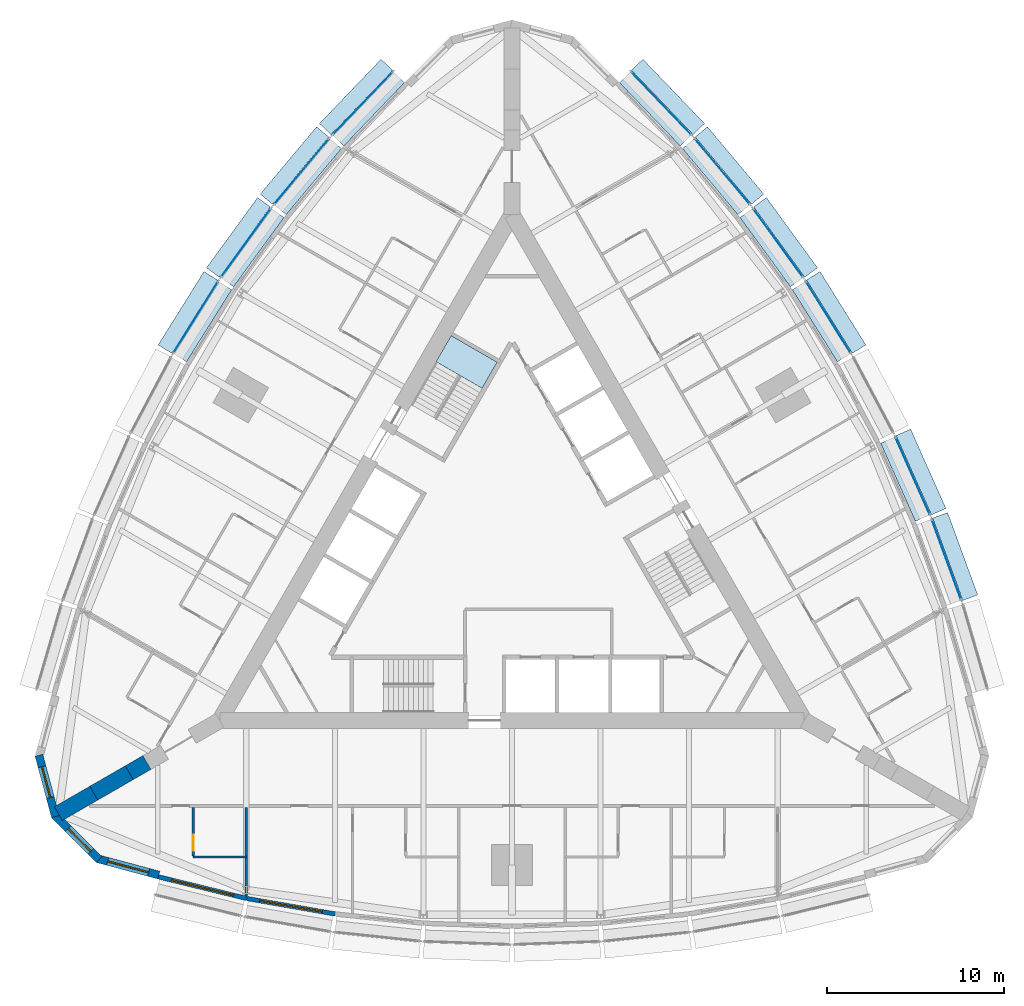
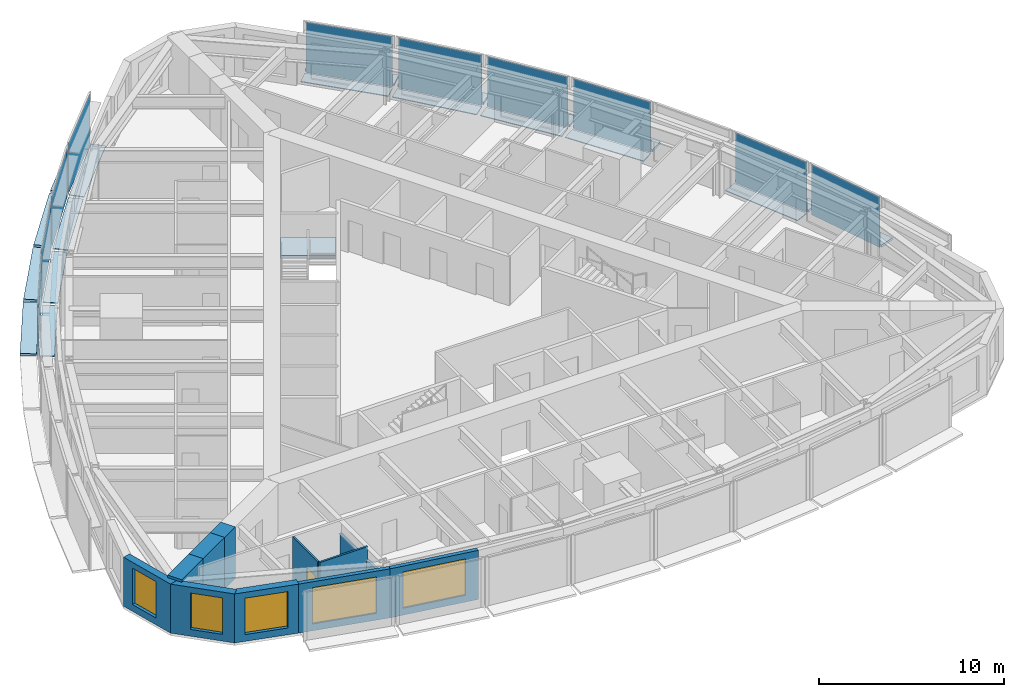
# One storey, part 7 of 14: 29 plates, 11 walls, 5 windows, 1 door, 1 slab, 6 openings, 11 elements without a shape of their own.
"""IFC4 building model written with IfcOpenShell, lengths in metres."""

from ifc_helpers import new_model, si_unit, direction, frame, frame_2d, origin, origin_2d, place, context, subcontext, project, spatial, polyline, rectangle, outline, extrude, material, layer, layer_set, type_object, element, fill, aggregate, save


model = new_model("IFC4")

# Units and contexts
model_context = context("Model", 3, precision=1e-05, world=origin(), true_north=direction((0.0, 1.0)))
body_context = subcontext(model_context, "Body", "Model", "MODEL_VIEW")
ifc_project = project(units=[si_unit("LENGTHUNIT", "METRE"), si_unit("AREAUNIT", "SQUARE_METRE"), si_unit("VOLUMEUNIT", "CUBIC_METRE"), si_unit("PLANEANGLEUNIT", "RADIAN"), si_unit("MASSUNIT", "GRAM", prefix="KILO")], contexts=[model_context])

# Site, building, storey
site_placement = place(None, origin())
site = spatial("IfcSite", under=ifc_project, at=site_placement, CompositionType="ELEMENT")
building_placement = place(site_placement, origin())
building = spatial("IfcBuilding", under=site, at=building_placement, Name="Trikona Tower", CompositionType="ELEMENT")
storey_placement = place(building_placement, frame((0.0, 0.0, 172.5)))
storey = spatial("IfcBuildingStorey", under=building, at=storey_placement, Name="L46", CompositionType="ELEMENT", Elevation=172.5)

# Plates
ifc_material_1 = material(Name="Aluminium bar grating", Category="aluminium")
ifc_layer_1 = layer(ifc_material_1, 0.050048828125)
ifc_layer_set_1 = layer_set([ifc_layer_1], Name="Cavity catwalk grating")
plate_type_1 = type_object("IfcPlateType", Name="Cavity catwalk grating", PredefinedType="USERDEFINED", material=ifc_layer_set_1)
plate_1_placement = place(storey_placement, frame((22.175048828125, 4.092529296875, -0.0498046875), z_axis=(0.0, 0.0, 1.0), x_axis=(-0.406843467615, 0.913497888809, 0.0)))
element("IfcPlate", 1, at=plate_1_placement, inside=storey, type_object=plate_type_1, Name="Cavity catwalk L46-14", ObjectType="CATWALK GRATING", PredefinedType="USERDEFINED", context=body_context, shape_type="SweptSolid", body=[
    extrude(rectangle(XDim=4.827392578125, YDim=0.830078125, at=origin_2d()), origin(), (0.0, 0.0, 1.0), 0.050048828125),
])
plate_2_placement = place(storey_placement, frame((17.450927734375, 12.978759765625, -0.0498046875), z_axis=(0.0, 0.0, 1.0), x_axis=(-0.529994748414, 0.848000923734, 0.0)))
element("IfcPlate", 2, at=plate_2_placement, inside=storey, type_object=plate_type_1, Name="Cavity catwalk L46-16", ObjectType="CATWALK GRATING", PredefinedType="USERDEFINED", context=body_context, shape_type="SweptSolid", body=[
    extrude(rectangle(XDim=4.802978515625, YDim=0.830078125, at=origin_2d()), origin(), (0.0, 0.0, 1.0), 0.050048828125),
])
plate_3_placement = place(storey_placement, frame((14.6318359375, 17.157958984375, -0.0498046875), z_axis=(0.0, 0.0, 1.0), x_axis=(-0.587686407834, 0.809088799853, 0.0)))
element("IfcPlate", 3, at=plate_3_placement, inside=storey, type_object=plate_type_1, Name="Cavity catwalk L46-17", ObjectType="CATWALK GRATING", PredefinedType="USERDEFINED", context=body_context, shape_type="SweptSolid", body=[
    extrude(rectangle(XDim=4.827392578125, YDim=0.830078125, at=origin_2d()), origin(), (0.0, 0.0, 1.0), 0.050048828125),
])
plate_4_placement = place(storey_placement, frame((11.508056640625, 21.160400390625, -0.0498046875), z_axis=(0.0, 0.0, 1.0), x_axis=(-0.641807063101, 0.766866151133, 0.0)))
element("IfcPlate", 4, at=plate_4_placement, inside=storey, type_object=plate_type_1, Name="Cavity catwalk L46-18", ObjectType="CATWALK GRATING", PredefinedType="USERDEFINED", context=body_context, shape_type="SweptSolid", body=[
    extrude(rectangle(XDim=4.8759765625, YDim=0.830078125, at=origin_2d()), origin(), (0.0, 0.0, 1.0), 0.050048828125),
])
for number, where, z_axis, x_axis, name in (
    (5, (8.080078125, 24.986328125, -0.0498046875), (0.0, 0.0, 1.0), (-0.691723573819, 0.722162376078, 0.0), "Cavity catwalk L46-19"),
    (6, (-8.080078125, 24.986328125, -0.0498046875), (0.0, 0.0, 1.0), (-0.691723573819, -0.722162376078, 0.0), "Cavity catwalk L46-24"),
):
    element("IfcPlate", number, at=place(storey_placement, frame(where, z_axis=z_axis, x_axis=x_axis)), inside=storey, type_object=plate_type_1, Name=name, ObjectType="CATWALK GRATING", PredefinedType="USERDEFINED", context=body_context, shape_type="SweptSolid", body=[
        extrude(rectangle(XDim=4.947998046875, YDim=0.830078125, at=origin_2d()), origin(), (0.0, 0.0, 1.0), 0.050048828125),
    ])
plate_5_placement = place(storey_placement, frame((-11.508056640625, 21.160400390625, -0.0498046875), z_axis=(0.0, 0.0, 1.0), x_axis=(-0.641807063101, -0.766866151133, 0.0)))
element("IfcPlate", 7, at=plate_5_placement, inside=storey, type_object=plate_type_1, Name="Cavity catwalk L46-25", ObjectType="CATWALK GRATING", PredefinedType="USERDEFINED", context=body_context, shape_type="SweptSolid", body=[
    extrude(rectangle(XDim=4.8759765625, YDim=0.830078125, at=origin_2d()), origin(), (0.0, 0.0, 1.0), 0.050048828125),
])
plate_6_placement = place(storey_placement, frame((-14.6318359375, 17.157958984375, -0.0498046875), z_axis=(0.0, 0.0, 1.0), x_axis=(-0.587686407834, -0.809088799853, 0.0)))
element("IfcPlate", 8, at=plate_6_placement, inside=storey, type_object=plate_type_1, Name="Cavity catwalk L46-26", ObjectType="CATWALK GRATING", PredefinedType="USERDEFINED", context=body_context, shape_type="SweptSolid", body=[
    extrude(rectangle(XDim=4.827392578125, YDim=0.830078125, at=origin_2d()), origin(), (0.0, 0.0, 1.0), 0.050048828125),
])
plate_7_placement = place(storey_placement, frame((-17.450927734375, 12.978759765625, -0.0498046875), z_axis=(0.0, 0.0, 1.0), x_axis=(-0.529994748414, -0.848000923734, 0.0)))
element("IfcPlate", 9, at=plate_7_placement, inside=storey, type_object=plate_type_1, Name="Cavity catwalk L46-27", ObjectType="CATWALK GRATING", PredefinedType="USERDEFINED", context=body_context, shape_type="SweptSolid", body=[
    extrude(rectangle(XDim=4.802978515625, YDim=0.830078125, at=origin_2d()), origin(), (0.0, 0.0, 1.0), 0.050048828125),
])

# Curtain wall, plate
ifc_material_2 = material(Name="Aluminium curtain wall system", Category="aluminium")
curtain_wall_type = type_object("IfcCurtainWallType", Name="Curtain wall DS2", PredefinedType="NOTDEFINED", material=ifc_material_2)
curtain_wall_1_placement = place(storey_placement, origin())
curtain_wall_1 = element("IfcCurtainWall", 10, at=curtain_wall_1_placement, inside=storey, type_object=curtain_wall_type, Name="Curtain wall DS2 L46", PredefinedType="NOTDEFINED")
ifc_material_3 = material(Name="Laminated clear glass", Category="glass")
ifc_layer_2 = layer(ifc_material_3, 0.028076171875)
ifc_layer_set_2 = layer_set([ifc_layer_2], Name="Glass panel DS2")
plate_type_2 = type_object("IfcPlateType", Name="Glass panel DS2", PredefinedType="CURTAIN_PANEL", material=ifc_layer_set_2)
plate_8_placement = place(storey_placement, frame((24.53515625, -0.447509765625, 0.0), z_axis=(0.0, 0.0, 1.0), x_axis=(-0.343223420143, 0.939253790978, 0.0)))
plate_8 = element("IfcPlate", 11, at=plate_8_placement, type_object=plate_type_2, Name="CW-DS2 panel 1.1", PredefinedType="CURTAIN_PANEL", context=body_context, shape_type="SweptSolid", body=[
    extrude(rectangle(XDim=4.7958984375, YDim=0.028076171875, at=origin_2d()), origin(), (0.0, 0.0, 1.0), 3.320068359375),
])
aggregate(curtain_wall_1, [plate_8])

curtain_wall_2_placement = place(storey_placement, origin())
curtain_wall_2 = element("IfcCurtainWall", 12, at=curtain_wall_2_placement, inside=storey, type_object=curtain_wall_type, Name="Curtain wall DS2 L46", PredefinedType="NOTDEFINED")
plate_9_placement = place(storey_placement, frame((22.6181640625, 4.289794921875, 0.0), z_axis=(0.0, 0.0, 1.0), x_axis=(-0.406836013132, 0.913501208767, 0.0)))
plate_9 = element("IfcPlate", 13, at=plate_9_placement, type_object=plate_type_2, Name="CW-DS2 panel 1.1", PredefinedType="CURTAIN_PANEL", context=body_context, shape_type="SweptSolid", body=[
    extrude(rectangle(XDim=4.747314453125, YDim=0.028076171875, at=origin_2d()), origin(), (0.0, 0.0, 1.0), 3.320068359375),
])
aggregate(curtain_wall_2, [plate_9])

curtain_wall_3_placement = place(storey_placement, origin())
curtain_wall_3 = element("IfcCurtainWall", 14, at=curtain_wall_3_placement, inside=storey, type_object=curtain_wall_type, Name="Curtain wall DS2 L46", PredefinedType="NOTDEFINED")
plate_10_placement = place(storey_placement, frame((17.8623046875, 13.23583984375, 0.0), z_axis=(0.0, 0.0, 1.0), x_axis=(-0.529998940002, 0.847998304006, 0.0)))
plate_10 = element("IfcPlate", 15, at=plate_10_placement, type_object=plate_type_2, Name="CW-DS2 panel 1.1", PredefinedType="CURTAIN_PANEL", context=body_context, shape_type="SweptSolid", body=[
    extrude(rectangle(XDim=4.72314453125, YDim=0.028076171875, at=origin_2d()), origin(), (0.0, 0.0, 1.0), 3.320068359375),
])
aggregate(curtain_wall_3, [plate_10])

curtain_wall_4_placement = place(storey_placement, origin())
curtain_wall_4 = element("IfcCurtainWall", 16, at=curtain_wall_4_placement, inside=storey, type_object=curtain_wall_type, Name="Curtain wall DS2 L46", PredefinedType="NOTDEFINED")
plate_11_placement = place(storey_placement, frame((15.024169921875, 17.443115234375, 0.0), z_axis=(0.0, 0.0, 1.0), x_axis=(-0.587690588313, 0.80908576332, 0.0)))
plate_11 = element("IfcPlate", 17, at=plate_11_placement, type_object=plate_type_2, Name="CW-DS2 panel 1.1", PredefinedType="CURTAIN_PANEL", context=body_context, shape_type="SweptSolid", body=[
    extrude(rectangle(XDim=4.74755859375, YDim=0.028076171875, at=origin_2d()), origin(), (0.0, 0.0, 1.0), 3.320068359375),
])
aggregate(curtain_wall_4, [plate_11])

curtain_wall_5_placement = place(storey_placement, origin())
curtain_wall_5 = element("IfcCurtainWall", 18, at=curtain_wall_5_placement, inside=storey, type_object=curtain_wall_type, Name="Curtain wall DS2 L46", PredefinedType="NOTDEFINED")
plate_12_placement = place(storey_placement, frame((11.8798828125, 21.4716796875, 0.0), z_axis=(0.0, 0.0, 1.0), x_axis=(-0.641806433248, 0.766866678271, 0.0)))
plate_12 = element("IfcPlate", 19, at=plate_12_placement, type_object=plate_type_2, Name="CW-DS2 panel 1.1", PredefinedType="CURTAIN_PANEL", context=body_context, shape_type="SweptSolid", body=[
    extrude(rectangle(XDim=4.7958984375, YDim=0.028076171875, at=origin_2d()), origin(), (0.0, 0.0, 1.0), 3.320068359375),
])
aggregate(curtain_wall_5, [plate_12])

curtain_wall_6_placement = place(storey_placement, origin())
curtain_wall_6 = element("IfcCurtainWall", 20, at=curtain_wall_6_placement, inside=storey, type_object=curtain_wall_type, Name="Curtain wall DS2 L46", PredefinedType="NOTDEFINED")
plate_13_placement = place(storey_placement, frame((8.430419921875, 25.32177734375, 0.0), z_axis=(0.0, 0.0, 1.0), x_axis=(-0.691727797117, 0.722158330767, 0.0)))
plate_13 = element("IfcPlate", 21, at=plate_13_placement, type_object=plate_type_2, Name="CW-DS2 panel 1.1", PredefinedType="CURTAIN_PANEL", context=body_context, shape_type="SweptSolid", body=[
    extrude(rectangle(XDim=4.867919921875, YDim=0.028076171875, at=origin_2d()), origin(), (0.0, 0.0, 1.0), 3.320068359375),
])
aggregate(curtain_wall_6, [plate_13])

curtain_wall_7_placement = place(storey_placement, origin())
curtain_wall_7 = element("IfcCurtainWall", 22, at=curtain_wall_7_placement, inside=storey, type_object=curtain_wall_type, Name="Curtain wall DS2 L46", PredefinedType="NOTDEFINED")
plate_14_placement = place(storey_placement, frame((-8.430419921875, 25.32177734375, 0.0), z_axis=(0.0, 0.0, 1.0), x_axis=(-0.691727797117, -0.722158330767, 0.0)))
plate_14 = element("IfcPlate", 23, at=plate_14_placement, type_object=plate_type_2, Name="CW-DS2 panel 1.1", PredefinedType="CURTAIN_PANEL", context=body_context, shape_type="SweptSolid", body=[
    extrude(rectangle(XDim=4.867919921875, YDim=0.028076171875, at=origin_2d()), origin(), (0.0, 0.0, 1.0), 3.320068359375),
])
aggregate(curtain_wall_7, [plate_14])

curtain_wall_8_placement = place(storey_placement, origin())
curtain_wall_8 = element("IfcCurtainWall", 24, at=curtain_wall_8_placement, inside=storey, type_object=curtain_wall_type, Name="Curtain wall DS2 L46", PredefinedType="NOTDEFINED")
plate_15_placement = place(storey_placement, frame((-11.8798828125, 21.4716796875, 0.0), z_axis=(0.0, 0.0, 1.0), x_axis=(-0.641806433248, -0.766866678271, 0.0)))
plate_15 = element("IfcPlate", 25, at=plate_15_placement, type_object=plate_type_2, Name="CW-DS2 panel 1.1", PredefinedType="CURTAIN_PANEL", context=body_context, shape_type="SweptSolid", body=[
    extrude(rectangle(XDim=4.7958984375, YDim=0.028076171875, at=origin_2d()), origin(), (0.0, 0.0, 1.0), 3.320068359375),
])
aggregate(curtain_wall_8, [plate_15])

curtain_wall_9_placement = place(storey_placement, origin())
curtain_wall_9 = element("IfcCurtainWall", 26, at=curtain_wall_9_placement, inside=storey, type_object=curtain_wall_type, Name="Curtain wall DS2 L46", PredefinedType="NOTDEFINED")
plate_16_placement = place(storey_placement, frame((-15.024169921875, 17.443115234375, 0.0), z_axis=(0.0, 0.0, 1.0), x_axis=(-0.587690588313, -0.80908576332, 0.0)))
plate_16 = element("IfcPlate", 27, at=plate_16_placement, type_object=plate_type_2, Name="CW-DS2 panel 1.1", PredefinedType="CURTAIN_PANEL", context=body_context, shape_type="SweptSolid", body=[
    extrude(rectangle(XDim=4.74755859375, YDim=0.028076171875, at=origin_2d()), origin(), (0.0, 0.0, 1.0), 3.320068359375),
])
aggregate(curtain_wall_9, [plate_16])

curtain_wall_10_placement = place(storey_placement, origin())
curtain_wall_10 = element("IfcCurtainWall", 28, at=curtain_wall_10_placement, inside=storey, type_object=curtain_wall_type, Name="Curtain wall DS2 L46", PredefinedType="NOTDEFINED")
plate_17_placement = place(storey_placement, frame((-17.8623046875, 13.23583984375, 0.0), z_axis=(0.0, 0.0, 1.0), x_axis=(-0.529998940002, -0.847998304006, 0.0)))
plate_17 = element("IfcPlate", 29, at=plate_17_placement, type_object=plate_type_2, Name="CW-DS2 panel 1.1", PredefinedType="CURTAIN_PANEL", context=body_context, shape_type="SweptSolid", body=[
    extrude(rectangle(XDim=4.72314453125, YDim=0.028076171875, at=origin_2d()), origin(), (0.0, 0.0, 1.0), 3.320068359375),
])
aggregate(curtain_wall_10, [plate_17])

# Plates
ifc_material_4 = material(Name="Aluminium plate fin, pale anodised, on stainless steel outriggers", Category="steel")
ifc_layer_3 = layer(ifc_material_4, 0.14990234375)
ifc_layer_set_3 = layer_set([ifc_layer_3], Name="Outer skin fin 900")
plate_type_3 = type_object("IfcPlateType", Name="Outer skin fin 900", PredefinedType="USERDEFINED", material=ifc_layer_set_3)
plate_18_placement = place(storey_placement, frame((25.0234375, -0.26904296875, 0.0), z_axis=(0.0, 0.0, 1.0), x_axis=(-0.343220397324, 0.939254895575, 0.0)))
element("IfcPlate", 30, at=plate_18_placement, inside=storey, type_object=plate_type_3, Name="Outer skin fin L46-13", ObjectType="FIN", PredefinedType="USERDEFINED", context=body_context, shape_type="SweptSolid", body=[
    extrude(rectangle(XDim=4.9560546875, YDim=0.89990234375, at=origin_2d()), origin(), (0.0, 0.0, 1.0), 0.14990234375),
])
plate_19_placement = place(storey_placement, frame((23.09326171875, 4.50146484375, 0.0), z_axis=(0.0, 0.0, 1.0), x_axis=(-0.406843467615, 0.913497888809, 0.0)))
element("IfcPlate", 31, at=plate_19_placement, inside=storey, type_object=plate_type_3, Name="Outer skin fin L46-14", ObjectType="FIN", PredefinedType="USERDEFINED", context=body_context, shape_type="SweptSolid", body=[
    extrude(rectangle(XDim=4.907470703125, YDim=0.89990234375, at=origin_2d()), origin(), (0.0, 0.0, 1.0), 0.14990234375),
])
plate_20_placement = place(storey_placement, frame((18.30322265625, 13.511474609375, 0.0), z_axis=(0.0, 0.0, 1.0), x_axis=(-0.529994748414, 0.848000923734, 0.0)))
element("IfcPlate", 32, at=plate_20_placement, inside=storey, type_object=plate_type_3, Name="Outer skin fin L46-16", ObjectType="FIN", PredefinedType="USERDEFINED", context=body_context, shape_type="SweptSolid", body=[
    extrude(rectangle(XDim=4.883056640625, YDim=0.89990234375, at=origin_2d()), origin(), (0.0, 0.0, 1.0), 0.14990234375),
])
plate_21_placement = place(storey_placement, frame((15.44482421875, 17.74853515625, 0.0), z_axis=(0.0, 0.0, 1.0), x_axis=(-0.587686407834, 0.809088799853, 0.0)))
element("IfcPlate", 33, at=plate_21_placement, inside=storey, type_object=plate_type_3, Name="Outer skin fin L46-17", ObjectType="FIN", PredefinedType="USERDEFINED", context=body_context, shape_type="SweptSolid", body=[
    extrude(rectangle(XDim=4.907470703125, YDim=0.89990234375, at=origin_2d()), origin(), (0.0, 0.0, 1.0), 0.14990234375),
])
plate_22_placement = place(storey_placement, frame((12.27880859375, 21.8056640625, 0.0), z_axis=(0.0, 0.0, 1.0), x_axis=(-0.641807063101, 0.766866151133, 0.0)))
element("IfcPlate", 34, at=plate_22_placement, inside=storey, type_object=plate_type_3, Name="Outer skin fin L46-18", ObjectType="FIN", PredefinedType="USERDEFINED", context=body_context, shape_type="SweptSolid", body=[
    extrude(rectangle(XDim=4.9560546875, YDim=0.89990234375, at=origin_2d()), origin(), (0.0, 0.0, 1.0), 0.14990234375),
])
for number, where, z_axis, x_axis, name in (
    (35, (8.805908203125, 25.681396484375, 0.0), (0.0, 0.0, 1.0), (-0.691723573819, 0.722162376078, 0.0), "Outer skin fin L46-19"),
    (36, (-8.805908203125, 25.681396484375, 0.0), (0.0, 0.0, 1.0), (-0.691723573819, -0.722162376078, 0.0), "Outer skin fin L46-24"),
):
    element("IfcPlate", number, at=place(storey_placement, frame(where, z_axis=z_axis, x_axis=x_axis)), inside=storey, type_object=plate_type_3, Name=name, ObjectType="FIN", PredefinedType="USERDEFINED", context=body_context, shape_type="SweptSolid", body=[
        extrude(rectangle(XDim=5.02783203125, YDim=0.89990234375, at=origin_2d()), origin(), (0.0, 0.0, 1.0), 0.14990234375),
    ])
plate_23_placement = place(storey_placement, frame((-12.27880859375, 21.8056640625, 0.0), z_axis=(0.0, 0.0, 1.0), x_axis=(-0.641807063101, -0.766866151133, 0.0)))
element("IfcPlate", 37, at=plate_23_placement, inside=storey, type_object=plate_type_3, Name="Outer skin fin L46-25", ObjectType="FIN", PredefinedType="USERDEFINED", context=body_context, shape_type="SweptSolid", body=[
    extrude(rectangle(XDim=4.9560546875, YDim=0.89990234375, at=origin_2d()), origin(), (0.0, 0.0, 1.0), 0.14990234375),
])
plate_24_placement = place(storey_placement, frame((-15.44482421875, 17.74853515625, 0.0), z_axis=(0.0, 0.0, 1.0), x_axis=(-0.587686407834, -0.809088799853, 0.0)))
element("IfcPlate", 38, at=plate_24_placement, inside=storey, type_object=plate_type_3, Name="Outer skin fin L46-26", ObjectType="FIN", PredefinedType="USERDEFINED", context=body_context, shape_type="SweptSolid", body=[
    extrude(rectangle(XDim=4.907470703125, YDim=0.89990234375, at=origin_2d()), origin(), (0.0, 0.0, 1.0), 0.14990234375),
])
plate_25_placement = place(storey_placement, frame((-18.30322265625, 13.511474609375, 0.0), z_axis=(0.0, 0.0, 1.0), x_axis=(-0.529994748414, -0.848000923734, 0.0)))
element("IfcPlate", 39, at=plate_25_placement, inside=storey, type_object=plate_type_3, Name="Outer skin fin L46-27", ObjectType="FIN", PredefinedType="USERDEFINED", context=body_context, shape_type="SweptSolid", body=[
    extrude(rectangle(XDim=4.883056640625, YDim=0.89990234375, at=origin_2d()), origin(), (0.0, 0.0, 1.0), 0.14990234375),
])

# Stair, slab
ifc_material_5 = material(Name="Concrete f'c 5000 psi", Category="concrete")
stair_type = type_object("IfcStairType", Name="Core stair", PredefinedType="HALF_TURN_STAIR", material=ifc_material_5)
stair_placement = place(storey_placement, origin())
stair = element("IfcStair", 40, at=stair_placement, inside=storey, type_object=stair_type, Name="Stair C L46", PredefinedType="HALF_TURN_STAIR")
ifc_material_6 = material(Name="Concrete f'c 5000 psi", Category="concrete")
ifc_layer_4 = layer(ifc_material_6, 0.199951171875)
ifc_layer_set_4 = layer_set([ifc_layer_4], Name="Stair landing 200")
slab_type = type_object("IfcSlabType", Name="Stair landing 200", PredefinedType="LANDING", material=ifc_layer_set_4)
slab_placement = place(storey_placement, frame((0.0, 0.0, 1.5)))
slab = element("IfcSlab", 41, at=slab_placement, type_object=slab_type, Name="ST-C landing 2", PredefinedType="LANDING", context=body_context, shape_type="SweptSolid", body=[
    extrude(outline(polyline([(-0.837158203125, 10.702392578125), (-1.688720703125, 9.2275390625), (-4.286865234375, 10.7275390625), (-3.435302734375, 12.202392578125), (-0.837158203125, 10.702392578125)])), origin(), (0.0, 0.0, 1.0), 0.199951171875),
])
aggregate(stair, [slab])

# Wall
ifc_material_7 = material(Name="Metal stud and cement board", Category="gypsum")
ifc_layer_5 = layer(ifc_material_7, 0.1201171875)
ifc_layer_set_5 = layer_set([ifc_layer_5], Name="Bathroom wall 120")
wall_type_1 = type_object("IfcWallType", Name="Bathroom wall 120", PredefinedType="PLUMBINGWALL", material=ifc_layer_set_5)
wall_1_placement = place(storey_placement, frame((-18.0, -17.226318359375, 0.0), z_axis=(0.0, 0.0, 1.0), x_axis=(1.0, 0.0, 0.0)))
element("IfcWall", 42, at=wall_1_placement, inside=storey, type_object=wall_type_1, Name="Bathroom wall 4601", PredefinedType="PLUMBINGWALL", context=body_context, shape_type="SweptSolid", body=[
    extrude(rectangle(XDim=3.0, YDim=0.1201171875, at=frame_2d((1.5, 0.0))), origin(), (0.0, 0.0, 1.0), 3.235107421875),
])

# Wall, opening, door
wall_2_placement = place(storey_placement, frame((-18.0, -14.42626953125, 0.0), z_axis=(0.0, 0.0, 1.0), x_axis=(0.0, -1.0, 0.0)))
wall_2 = element("IfcWall", 43, at=wall_2_placement, inside=storey, type_object=wall_type_1, Name="Bathroom wall 4601", PredefinedType="PLUMBINGWALL", context=body_context, shape_type="SweptSolid", body=[
    extrude(rectangle(XDim=2.739990234375, YDim=0.1201171875, at=frame_2d((1.3701171875, 0.0))), origin(), (0.0, 0.0, 1.0), 3.235107421875),
])
opening_1_placement = place(wall_2_placement, frame((1.550048828125, 0.0, 0.0)))
opening_1 = element("IfcOpeningElement", 44, at=opening_1_placement, cuts=wall_2, Name="Opening D2", PredefinedType="OPENING", context=body_context, shape_type="SweptSolid", body=[
    extrude(rectangle(XDim=0.89990234375, YDim=2.1298828125, at=frame_2d((0.449951171875, 1.06494140625))), frame((0.0, 0.070068359375, 0.0), z_axis=(0.0, -1.0, 0.0), x_axis=(1.0, 0.0, 0.0)), (0.0, 0.0, 1.0), 0.14013671875),
])
ifc_material_8 = material(Name="Steel door frame with solid-core timber leaf", Category="steel")
door_type = type_object("IfcDoorType", Name="Bathroom door 900x2130", OperationType="SLIDING_TO_LEFT", PredefinedType="DOOR", material=ifc_material_8)
door_placement = place(opening_1_placement, origin())
door = element("IfcDoor", 45, at=door_placement, inside=storey, type_object=door_type, Name="Bathroom door 4601", OperationType="SLIDING_TO_LEFT", OverallHeight=2.1298828125, OverallWidth=0.89990234375, PredefinedType="DOOR", context=body_context, shape_type="SweptSolid", body=[
    extrude(rectangle(XDim=0.89990234375, YDim=2.1298828125, at=frame_2d((0.449951171875, 1.06494140625))), frame((0.0, 0.02490234375, 0.0), z_axis=(0.0, -1.0, 0.0), x_axis=(1.0, 0.0, 0.0)), (0.0, 0.0, 1.0), 0.050048828125),
])
fill(opening_1, door)

# Wall, opening, window
ifc_material_9 = material(Name="Brick-faced precast concrete", Category="masonry")
ifc_layer_6 = layer(ifc_material_9, 0.449951171875)
ifc_layer_set_6 = layer_set([ifc_layer_6], Name="Brick-faced corner wall 450")
wall_type_2 = type_object("IfcWallType", Name="Brick-faced corner wall 450", PredefinedType="SOLIDWALL", material=ifc_layer_set_6)
wall_3_placement = place(storey_placement, frame((-26.7109375, -11.48876953125, 0.0), z_axis=(0.0, 0.0, 1.0), x_axis=(0.258823421857, -0.965924653531, 0.0)))
wall_3 = element("IfcWall", 46, at=wall_3_placement, inside=storey, type_object=wall_type_2, Name="External wall L46-33", PredefinedType="SOLIDWALL", context=body_context, shape_type="SweptSolid", body=[
    extrude(outline(polyline([(3.58642578125, 0.22509765625), (3.52685546875, 0.22509765625), (3.03515625, 0.09326171875), (3.0, 0.22509765625), (0.0, 0.22509765625), (0.0, -0.22509765625), (3.58642578125, -0.22509765625), (3.58642578125, 0.22509765625)])), origin(), (0.0, 0.0, 1.0), 3.235107421875),
])
opening_2_placement = place(wall_3_placement, frame((0.6748046875, 0.0, 0.449951171875)))
opening_2 = element("IfcOpeningElement", 47, at=opening_2_placement, cuts=wall_3, Name="Opening W1824", PredefinedType="OPENING", context=body_context, shape_type="SweptSolid", body=[
    extrude(rectangle(XDim=1.800048828125, YDim=2.39990234375, at=frame_2d((0.89990234375, 1.199951171875))), frame((0.0, 0.23486328125, 0.0), z_axis=(0.0, -1.0, 0.0), x_axis=(1.0, 0.0, 0.0)), (0.0, 0.0, 1.0), 0.469970703125),
])
ifc_material_10 = material(Name="Aluminium-framed double glazing", Category="aluminium")
window_type_1 = type_object("IfcWindowType", Name="Window 1800x2400", PartitioningType="SINGLE_PANEL", PredefinedType="WINDOW", material=ifc_material_10)
window_1_placement = place(opening_2_placement, origin())
window_1 = element("IfcWindow", 48, at=window_1_placement, inside=storey, type_object=window_type_1, Name="Window 4613", OverallHeight=2.39990234375, OverallWidth=1.800048828125, PartitioningType="SINGLE_PANEL", PredefinedType="WINDOW", context=body_context, shape_type="SweptSolid", body=[
    extrude(rectangle(XDim=1.800048828125, YDim=2.39990234375, at=frame_2d((0.89990234375, 1.199951171875))), frame((0.0, 0.030029296875, 0.0), z_axis=(0.0, -1.0, 0.0), x_axis=(1.0, 0.0, 0.0)), (0.0, 0.0, 1.0), 0.06005859375),
])
fill(opening_2, window_1)

wall_4_placement = place(storey_placement, frame((-25.8408203125, -14.85205078125, 0.0), z_axis=(0.0, 0.0, 1.0), x_axis=(0.707106781187, -0.707106781187, 0.0)))
wall_4 = element("IfcWall", 49, at=wall_4_placement, inside=storey, type_object=wall_type_2, Name="External wall L46-34", PredefinedType="SOLIDWALL", context=body_context, shape_type="SweptSolid", body=[
    extrude(outline(polyline([(3.586181640625, 0.22509765625), (0.58642578125, 0.22509765625), (0.551025390625, 0.09326171875), (0.05908203125, 0.22509765625), (0.0, 0.22509765625), (0.0, -0.22509765625), (3.586181640625, -0.22509765625), (3.586181640625, 0.22509765625)])), origin(), (0.0, 0.0, 1.0), 3.235107421875),
])
opening_3_placement = place(wall_4_placement, frame((1.111328125, 0.0, 0.449951171875)))
opening_3 = element("IfcOpeningElement", 50, at=opening_3_placement, cuts=wall_4, Name="Opening W1824", PredefinedType="OPENING", context=body_context, shape_type="SweptSolid", body=[
    extrude(rectangle(XDim=1.800048828125, YDim=2.39990234375, at=frame_2d((0.89990234375, 1.199951171875))), frame((0.0, 0.23486328125, 0.0), z_axis=(0.0, -1.0, 0.0), x_axis=(1.0, 0.0, 0.0)), (0.0, 0.0, 1.0), 0.469970703125),
])
window_2_placement = place(opening_3_placement, origin())
window_2 = element("IfcWindow", 51, at=window_2_placement, inside=storey, type_object=window_type_1, Name="Window 4601", OverallHeight=2.39990234375, OverallWidth=1.800048828125, PartitioningType="SINGLE_PANEL", PredefinedType="WINDOW", context=body_context, shape_type="SweptSolid", body=[
    extrude(rectangle(XDim=1.800048828125, YDim=2.39990234375, at=frame_2d((0.89990234375, 1.199951171875))), frame((0.0, 0.030029296875, 0.0), z_axis=(0.0, -1.0, 0.0), x_axis=(1.0, 0.0, 0.0)), (0.0, 0.0, 1.0), 0.06005859375),
])
fill(opening_3, window_2)

wall_5_placement = place(storey_placement, frame((-23.406005859375, -17.32958984375, 0.0), z_axis=(0.0, 0.0, 1.0), x_axis=(0.965924653531, -0.258823421857, 0.0)))
wall_5 = element("IfcWall", 52, at=wall_5_placement, inside=storey, type_object=wall_type_2, Name="External wall L46-35", PredefinedType="SOLIDWALL", context=body_context, shape_type="SweptSolid", body=[
    extrude(rectangle(XDim=3.58642578125, YDim=0.449951171875, at=frame_2d((1.793212890625, 0.0))), origin(), (0.0, 0.0, 1.0), 3.235107421875),
])
opening_4_placement = place(wall_5_placement, frame((0.593017578125, 0.0, 0.449951171875)))
opening_4 = element("IfcOpeningElement", 53, at=opening_4_placement, cuts=wall_5, Name="Opening W2424", PredefinedType="OPENING", context=body_context, shape_type="SweptSolid", body=[
    extrude(rectangle(XDim=2.39990234375, YDim=2.39990234375, at=frame_2d((1.199951171875, 1.199951171875))), frame((0.0, 0.23486328125, 0.0), z_axis=(0.0, -1.0, 0.0), x_axis=(1.0, 0.0, 0.0)), (0.0, 0.0, 1.0), 0.469970703125),
])
ifc_material_11 = material(Name="Aluminium-framed double glazing", Category="aluminium")
window_type_2 = type_object("IfcWindowType", Name="Window 2400x2400", PartitioningType="SINGLE_PANEL", PredefinedType="WINDOW", material=ifc_material_11)
window_3_placement = place(opening_4_placement, origin())
window_3 = element("IfcWindow", 54, at=window_3_placement, inside=storey, type_object=window_type_2, Name="Window 4601", OverallHeight=2.39990234375, OverallWidth=2.39990234375, PartitioningType="SINGLE_PANEL", PredefinedType="WINDOW", context=body_context, shape_type="SweptSolid", body=[
    extrude(rectangle(XDim=2.39990234375, YDim=2.39990234375, at=frame_2d((1.199951171875, 1.199951171875))), frame((0.0, 0.030029296875, 0.0), z_axis=(0.0, -1.0, 0.0), x_axis=(1.0, 0.0, 0.0)), (0.0, 0.0, 1.0), 0.06005859375),
])
fill(opening_4, window_3)

# Walls
ifc_material_12 = material(Name="Concrete f'c 10000 psi", Category="concrete")
ifc_layer_7 = layer(ifc_material_12, 0.89990234375)
ifc_layer_set_7 = layer_set([ifc_layer_7], Name="Buttress wall 900")
wall_type_3 = type_object("IfcWallType", Name="Buttress wall 900", PredefinedType="SHEAR", material=ifc_layer_set_7)
wall_6_placement = place(storey_placement, frame((-20.6103515625, -11.8994140625, 0.0), z_axis=(0.0, 0.0, 1.0), x_axis=(-0.866009537788, -0.500027479704, 0.0)))
element("IfcWall", 55, at=wall_6_placement, inside=storey, type_object=wall_type_3, Name="Buttress wall 3 part 2", PredefinedType="SHEAR", context=body_context, shape_type="SweptSolid", body=[
    extrude(rectangle(XDim=1.15478515625, YDim=0.89990234375, at=frame_2d((0.577392578125, 0.0))), origin(), (0.0, 0.0, 1.0), 3.39990234375),
])
for number, where, z_axis, x_axis, name in (
    (56, (-21.6103515625, -12.476806640625, 0.0), (0.0, 0.0, 1.0), (-0.866055313784, -0.499948190782, 0.0), "Buttress wall 3 part 3"),
    (57, (-23.6103515625, -13.63134765625, 0.0), (0.0, 0.0, 1.0), (-0.866009537788, -0.500027479704, 0.0), "Buttress wall 3 part 4"),
):
    element("IfcWall", number, at=place(storey_placement, frame(where, z_axis=z_axis, x_axis=x_axis)), inside=storey, type_object=wall_type_3, Name=name, PredefinedType="SHEAR", context=body_context, shape_type="SweptSolid", body=[
        extrude(rectangle(XDim=2.309326171875, YDim=0.89990234375, at=frame_2d((1.15478515625, 0.0))), origin(), (0.0, 0.0, 1.0), 3.39990234375),
    ])

# Wall, opening, window
ifc_material_13 = material(Name="Insulated precast concrete spandrel panel", Category="concrete")
ifc_layer_8 = layer(ifc_material_13, 0.25)
ifc_layer_set_8 = layer_set([ifc_layer_8], Name="Inner skin wall 250")
wall_type_4 = type_object("IfcWallType", Name="Inner skin wall 250", PredefinedType="STANDARD", material=ifc_layer_set_8)
wall_7_placement = place(storey_placement, frame((-19.97021484375, -18.353759765625, 0.0), z_axis=(0.0, 0.0, 1.0), x_axis=(0.971270024053, -0.237980126011, 0.0)))
wall_7 = element("IfcWall", 58, at=wall_7_placement, inside=storey, type_object=wall_type_4, Name="External wall L46-00", PredefinedType="STANDARD", context=body_context, shape_type="SweptSolid", body=[
    extrude(rectangle(XDim=5.14794921875, YDim=0.25, at=frame_2d((2.573974609375, 0.0))), origin(), (0.0, 0.0, 1.0), 3.235107421875),
])
opening_5_placement = place(wall_7_placement, frame((0.77392578125, 0.0, 0.449951171875)))
opening_5 = element("IfcOpeningElement", 59, at=opening_5_placement, cuts=wall_7, Name="Opening W3624", PredefinedType="OPENING", context=body_context, shape_type="SweptSolid", body=[
    extrude(rectangle(XDim=3.60009765625, YDim=2.39990234375, at=frame_2d((1.800048828125, 1.199951171875))), frame((0.0, 0.135009765625, 0.0), z_axis=(0.0, -1.0, 0.0), x_axis=(1.0, 0.0, 0.0)), (0.0, 0.0, 1.0), 0.27001953125),
])
ifc_material_14 = material(Name="Aluminium-framed double glazing", Category="aluminium")
window_type_3 = type_object("IfcWindowType", Name="Window 3600x2400", PartitioningType="SINGLE_PANEL", PredefinedType="WINDOW", material=ifc_material_14)
window_4_placement = place(opening_5_placement, origin())
window_4 = element("IfcWindow", 60, at=window_4_placement, inside=storey, type_object=window_type_3, Name="Window 4601", OverallHeight=2.39990234375, OverallWidth=3.60009765625, PartitioningType="SINGLE_PANEL", PredefinedType="WINDOW", context=body_context, shape_type="SweptSolid", body=[
    extrude(rectangle(XDim=3.60009765625, YDim=2.39990234375, at=frame_2d((1.800048828125, 1.199951171875))), frame((0.0, 0.030029296875, 0.0), z_axis=(0.0, -1.0, 0.0), x_axis=(1.0, 0.0, 0.0)), (0.0, 0.0, 1.0), 0.06005859375),
])
fill(opening_5, window_4)

wall_8_placement = place(storey_placement, frame((-14.978515625, -19.5771484375, 0.0), z_axis=(0.0, 0.0, 1.0), x_axis=(0.985030467156, -0.172380331752, 0.0)))
wall_8 = element("IfcWall", 61, at=wall_8_placement, inside=storey, type_object=wall_type_4, Name="External wall L46-01", PredefinedType="STANDARD", context=body_context, shape_type="SweptSolid", body=[
    extrude(rectangle(XDim=5.075927734375, YDim=0.25, at=frame_2d((2.5380859375, 0.0))), origin(), (0.0, 0.0, 1.0), 3.235107421875),
])
opening_6_placement = place(wall_8_placement, frame((0.738037109375, 0.0, 0.449951171875)))
opening_6 = element("IfcOpeningElement", 62, at=opening_6_placement, cuts=wall_8, Name="Opening W3624", PredefinedType="OPENING", context=body_context, shape_type="SweptSolid", body=[
    extrude(rectangle(XDim=3.60009765625, YDim=2.39990234375, at=frame_2d((1.800048828125, 1.199951171875))), frame((0.0, 0.135009765625, 0.0), z_axis=(0.0, -1.0, 0.0), x_axis=(1.0, 0.0, 0.0)), (0.0, 0.0, 1.0), 0.27001953125),
])
window_5_placement = place(opening_6_placement, origin())
window_5 = element("IfcWindow", 63, at=window_5_placement, inside=storey, type_object=window_type_3, Name="Window 4602", OverallHeight=2.39990234375, OverallWidth=3.60009765625, PartitioningType="SINGLE_PANEL", PredefinedType="WINDOW", context=body_context, shape_type="SweptSolid", body=[
    extrude(rectangle(XDim=3.60009765625, YDim=2.39990234375, at=frame_2d((1.800048828125, 1.199951171875))), frame((0.0, 0.030029296875, 0.0), z_axis=(0.0, -1.0, 0.0), x_axis=(1.0, 0.0, 0.0)), (0.0, 0.0, 1.0), 0.06005859375),
])
fill(opening_6, window_5)

# Wall
ifc_material_15 = material(Name="Metal stud and gypsum board, 1-hour acoustic", Category="gypsum")
ifc_layer_9 = layer(ifc_material_15, 0.14990234375)
ifc_layer_set_9 = layer_set([ifc_layer_9], Name="Party wall 150")
wall_type_5 = type_object("IfcWallType", Name="Party wall 150", PredefinedType="PARTITIONING", material=ifc_layer_set_9)
wall_9_placement = place(storey_placement, frame((-15.0, -14.42626953125, 0.0), z_axis=(0.0, 0.0, 1.0), x_axis=(0.0, -1.0, 0.0)))
element("IfcWall", 64, at=wall_9_placement, inside=storey, type_object=wall_type_5, Name="Partition L46 F1 u-15", PredefinedType="PARTITIONING", context=body_context, shape_type="SweptSolid", body=[
    extrude(rectangle(XDim=5.0166015625, YDim=0.14990234375, at=frame_2d((2.50830078125, 0.0))), origin(), (0.0, 0.0, 1.0), 2.38916015625),
])

save(model, "model.ifc")
